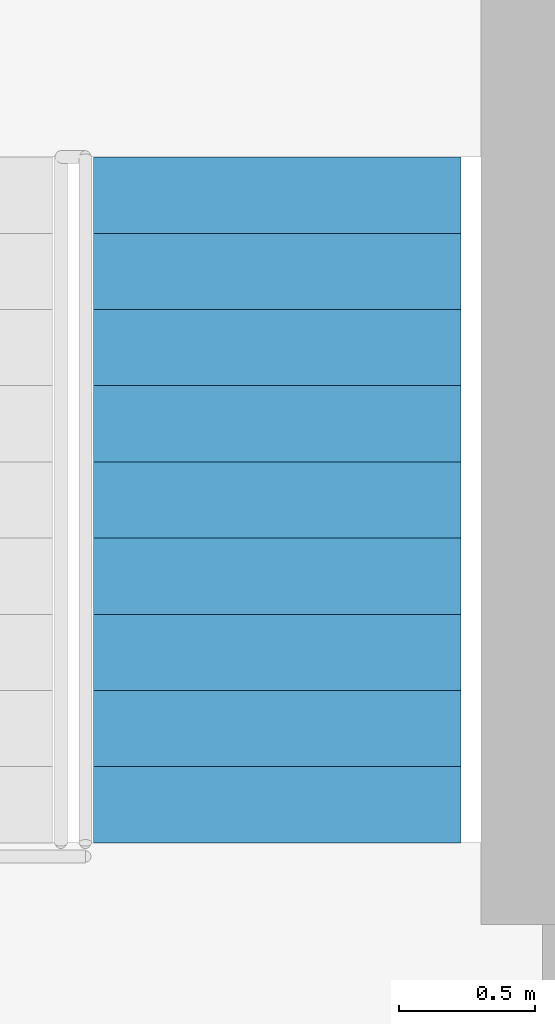
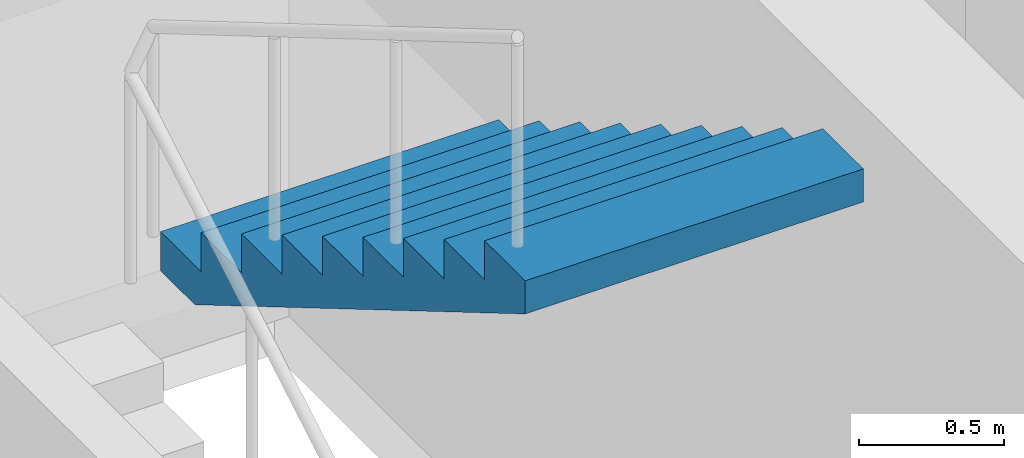
# One storey, part 12 of 13: 1 stair flight, 1 element without a shape of its own.
"""IFC4 building model written with IfcOpenShell, lengths in metres."""

from ifc_helpers import new_model, si_unit, direction, frame, origin, place, context, subcontext, project, spatial, polyline, outline, extrude, material, type_object, element, aggregate, save


model = new_model("IFC4")

# Units and contexts
model_context = context("Model", 3, precision=1e-05, world=origin(), true_north=direction((0.0, 1.0)))
body_context = subcontext(model_context, "Body", "Model", "MODEL_VIEW")
ifc_project = project(units=[si_unit("LENGTHUNIT", "METRE"), si_unit("AREAUNIT", "SQUARE_METRE"), si_unit("VOLUMEUNIT", "CUBIC_METRE"), si_unit("PLANEANGLEUNIT", "RADIAN"), si_unit("MASSUNIT", "GRAM", prefix="KILO")], contexts=[model_context])

# Site, building, storey
site_placement = place(None, origin())
site = spatial("IfcSite", under=ifc_project, at=site_placement, CompositionType="ELEMENT")
building_placement = place(site_placement, origin())
building = spatial("IfcBuilding", under=site, at=building_placement, Name="Quoin Convention Tower", CompositionType="ELEMENT")
storey_placement = place(building_placement, frame((0.0, 0.0, 23.10009765625)))
storey = spatial("IfcBuildingStorey", under=building, at=storey_placement, Name="L04", CompositionType="ELEMENT", Elevation=23.10009765625)

# Stair, stair flight
ifc_material = material(Name="Concrete C40", Category="concrete")
stair_type = type_object("IfcStairType", Name="Exit stair two-flight 1350", PredefinedType="HALF_TURN_STAIR", material=ifc_material)
stair_placement = place(storey_placement, origin())
stair = element("IfcStair", 1, at=stair_placement, inside=storey, type_object=stair_type, Name="SD2 L04", PredefinedType="HALF_TURN_STAIR")
stair_flight_type = type_object("IfcStairFlightType", Name="Stair flight 1350", PredefinedType="STRAIGHT", material=ifc_material)
stair_flight_placement = place(storey_placement, frame((66.25, 60.320068359375, 1.64990234375), z_axis=(0.0, 0.0, 1.0), x_axis=(0.0, -1.0, 0.0)))
stair_flight = element("IfcStairFlight", 2, at=stair_flight_placement, type_object=stair_flight_type, Name="ST2 flight 2", NumberOfRisers=10, NumberOfTreads=9, PredefinedType="STRAIGHT", RiserHeight=0.165, TreadLength=0.28, context=body_context, shape_type="SweptSolid", body=[
    extrude(outline(polyline([(0.0, 0.0), (0.0, 0.1650390625), (0.280029296875, 0.1650390625), (0.280029296875, 0.330078125), (0.56005859375, 0.330078125), (0.56005859375, 0.4951171875), (0.840087890625, 0.4951171875), (0.840087890625, 0.659912109375), (1.1201171875, 0.659912109375), (1.1201171875, 0.824951171875), (1.39990234375, 0.824951171875), (1.39990234375, 0.989990234375), (1.679931640625, 0.989990234375), (1.679931640625, 1.155029296875), (1.9599609375, 1.155029296875), (1.9599609375, 1.320068359375), (2.239990234375, 1.320068359375), (2.239990234375, 1.485107421875), (2.52001953125, 1.485107421875), (2.52001953125, 1.64990234375), (2.52001953125, 1.345458984375), (0.236572265625, 0.0), (0.0, 0.0)])), frame((0.0, 0.675048828125, 0.0), z_axis=(0.0, -1.0, 0.0), x_axis=(1.0, 0.0, 0.0)), (0.0, 0.0, 1.0), 1.35009765625),
])
aggregate(stair, [stair_flight])

save(model, "model.ifc")
